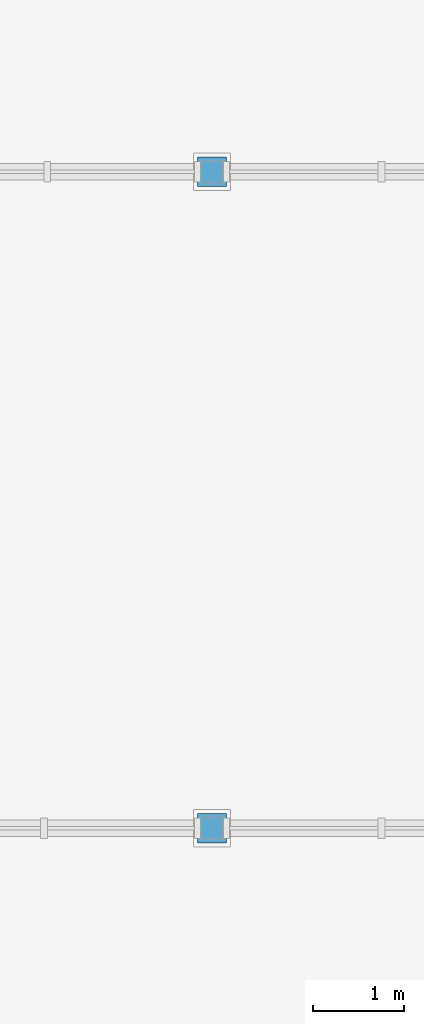
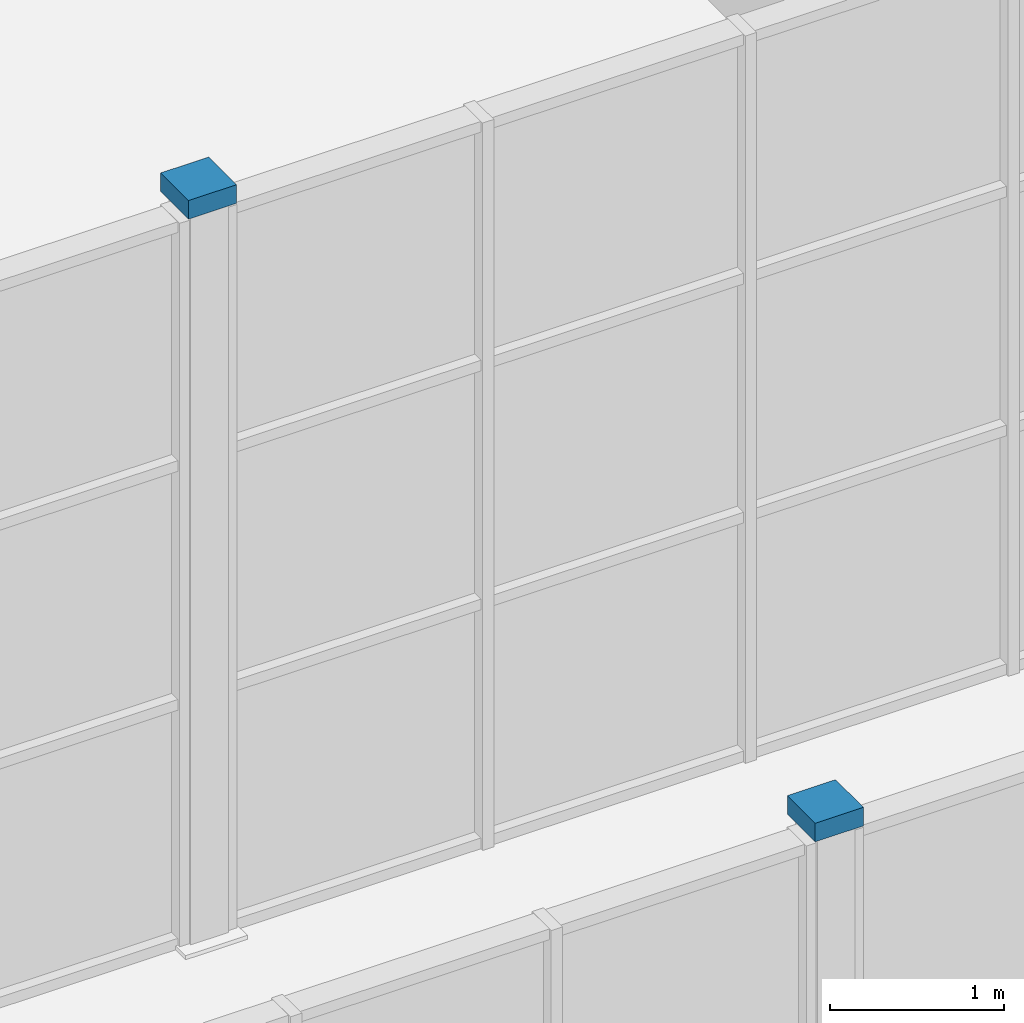
# One storey, part 66 of 75: 2 discrete accessories.
"""IFC4 building model written with IfcOpenShell, lengths in metres."""

from ifc_helpers import new_model, si_unit, direction, frame, origin, place, context, subcontext, project, spatial, polyline, outline, extrude, material, type_object, element, save


model = new_model("IFC4")

# Units and contexts
model_context = context("Model", 3, precision=1e-05, world=origin(), true_north=direction((0.0, 1.0)))
body_context = subcontext(model_context, "Body", "Model", "MODEL_VIEW")
ifc_project = project(units=[si_unit("LENGTHUNIT", "METRE"), si_unit("AREAUNIT", "SQUARE_METRE"), si_unit("VOLUMEUNIT", "CUBIC_METRE"), si_unit("PLANEANGLEUNIT", "RADIAN"), si_unit("MASSUNIT", "GRAM", prefix="KILO")], contexts=[model_context])

# Site, building, storey
site_placement = place(None, origin())
site = spatial("IfcSite", under=ifc_project, at=site_placement, CompositionType="ELEMENT")
building_placement = place(site_placement, origin())
building = spatial("IfcBuilding", under=site, at=building_placement, Name="Leyfeld Transit Interchange", CompositionType="ELEMENT")
storey_placement = place(building_placement, origin())
storey = spatial("IfcBuildingStorey", under=building, at=storey_placement, Name="L00", CompositionType="ELEMENT", Elevation=0.0)

# Discrete accessories
ifc_material = material(Name="Steel S355J2", Category="steel")
discrete_accessory_type = type_object("IfcDiscreteAccessoryType", Name="ACC-BRK-PUR", PredefinedType="BRACKET", material=ifc_material)
discrete_accessory_1_placement = place(storey_placement, frame((0.0, 0.0, 5.14990234375)))
element("IfcDiscreteAccessory", 1, at=discrete_accessory_1_placement, inside=storey, type_object=discrete_accessory_type, Name="Welded Hollow Column Top Cap Plate 01", PredefinedType="BRACKET", context=body_context, shape_type="SweptSolid", body=[
    extrude(outline(polyline([(107.840087890625, 43.0400390625), (108.159912109375, 43.0400390625), (108.159912109375, 43.360107421875), (107.840087890625, 43.360107421875), (107.840087890625, 43.0400390625)])), origin(), (0.0, 0.0, 1.0), 0.130126953125),
])
discrete_accessory_2_placement = place(storey_placement, frame((0.0, 0.0, 5.14990234375)))
element("IfcDiscreteAccessory", 2, at=discrete_accessory_2_placement, inside=storey, type_object=discrete_accessory_type, Name="Welded Hollow Column Top Cap Plate 02", PredefinedType="BRACKET", context=body_context, shape_type="SweptSolid", body=[
    extrude(outline(polyline([(107.840087890625, 50.239990234375), (108.159912109375, 50.239990234375), (108.159912109375, 50.56005859375), (107.840087890625, 50.56005859375), (107.840087890625, 50.239990234375)])), origin(), (0.0, 0.0, 1.0), 0.130126953125),
])

save(model, "model.ifc")
